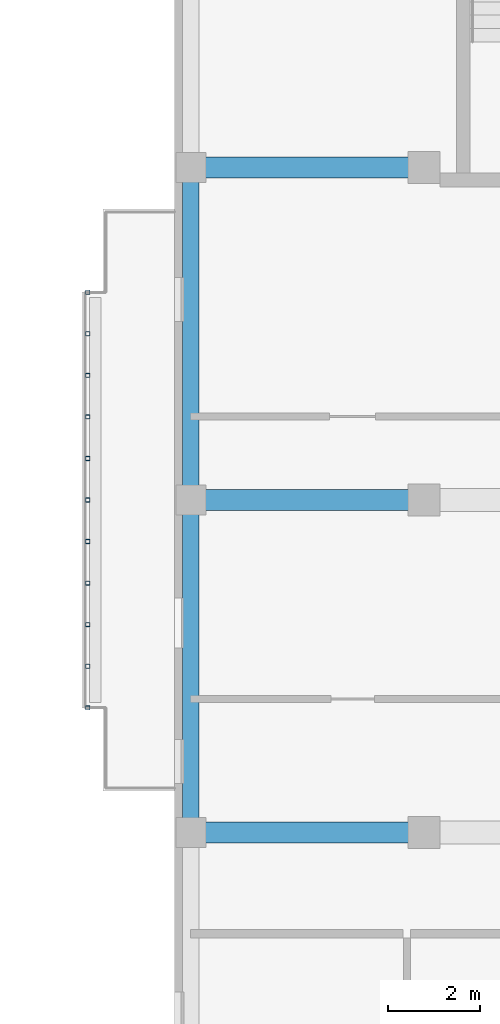
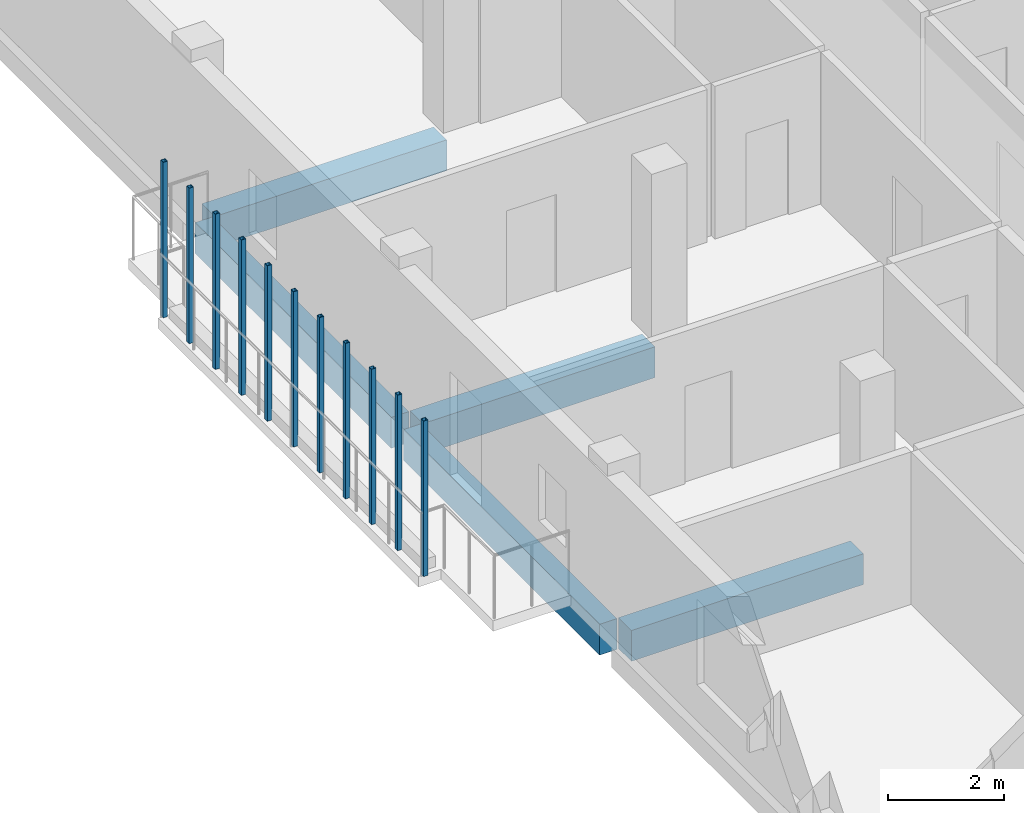
# One storey, part 27 of 73: 11 members, 5 beams.
"""IFC4 building model written with IfcOpenShell, lengths in metres."""

from ifc_helpers import new_model, si_unit, derived_unit, direction, frame, origin, origin_2d, place, context, subcontext, project, spatial, rectangle, hollow_rectangle, extrude, material, material_profile, profile_set, type_object, element, save


model = new_model("IFC4")

# Units and contexts
model_context = context("Model", 3, precision=1e-05, world=origin(), true_north=direction((0.0, 1.0)))
body_context = subcontext(model_context, "Body", "Model", "MODEL_VIEW")
ifc_project = project(units=[si_unit("LENGTHUNIT", "METRE"), si_unit("AREAUNIT", "SQUARE_METRE"), si_unit("VOLUMEUNIT", "CUBIC_METRE"), si_unit("PLANEANGLEUNIT", "RADIAN"), si_unit("MASSUNIT", "GRAM", prefix="KILO"), derived_unit("THERMALTRANSMITTANCEUNIT", [(si_unit("MASSUNIT", "GRAM", prefix="KILO"), 1), (si_unit("TIMEUNIT", "SECOND"), -3), (si_unit("THERMODYNAMICTEMPERATUREUNIT", "KELVIN"), -1)])], contexts=[model_context])

# Site, building, storey
site_placement = place(None, origin())
site = spatial("IfcSite", under=ifc_project, at=site_placement, CompositionType="ELEMENT")
building_placement = place(site_placement, origin())
building = spatial("IfcBuilding", under=site, at=building_placement, Name="Ochrekiln Boulevard Commons", CompositionType="ELEMENT")
storey_placement = place(building_placement, frame((0.0, 0.0, 8.574951171875)))
storey = spatial("IfcBuildingStorey", under=building, at=storey_placement, Name="L02", CompositionType="ELEMENT", Elevation=8.574951171875)

# Beams
ifc_material_1 = material(Name="Concrete C35/45", Category="concrete")
ifc_material_profile_1 = material_profile(ifc_material_1, rectangle(XDim=0.449951171875, YDim=0.64990234375, at=origin_2d()), Name="RC-BM-450x650")
ifc_profile_set_1 = profile_set([ifc_material_profile_1], Name="Concrete C35/45")
beam_type_1 = type_object("IfcBeamType", Name="BM-RC-450x650", PredefinedType="BEAM", material=ifc_profile_set_1)
for number, where, z_axis, x_axis, name in (
    (1, (151.760009765625, 97.199951171875, -0.5849609375), (1.0, 0.0, 0.0), (0.0, 1.0, 0.0), "Block B L02 Beam B-4565 X12"),
    (2, (151.760009765625, 104.39990234375, -0.5849609375), (1.0, 0.0, 0.0), (0.0, 1.0, 0.0), "Block B L02 Beam B-4565 X15"),
    (3, (151.760009765625, 111.60009765625, -0.5849609375), (1.0, 0.0, 0.0), (0.0, 1.0, 0.0), "Block B L02 Beam B-4565 X18"),
):
    element("IfcBeam", number, at=place(storey_placement, frame(where, z_axis=z_axis, x_axis=x_axis)), inside=storey, type_object=beam_type_1, Name=name, PredefinedType="BEAM", context=body_context, shape_type="SweptSolid", body=[
        extrude(rectangle(XDim=0.449951171875, YDim=0.64990234375, at=origin_2d()), origin(), (0.0, 0.0, 1.0), 4.6298828125),
    ])

# Members
ifc_material_2 = material(Name="Steel A500 Grade C", Category="steel")
ifc_material_profile_2 = material_profile(ifc_material_2, hollow_rectangle(XDim=0.090087890625, YDim=0.090087890625, WallThickness=0.00634765625, at=origin_2d()), Name="HSS90X90X6.4")
ifc_profile_set_2 = profile_set([ifc_material_profile_2], Name="Steel A500 Grade C")
member_type = type_object("IfcMemberType", Name="MEM-PST-HSS90", PredefinedType="POST", material=ifc_profile_set_2)
for number, where, z_axis, x_axis, name in (
    (4, (149.320068359375, 99.89990234375, 0.0), (0.0, 0.0, 1.0), (1.0, 0.0, 0.0), "Block B L02 Slim Vertical Balcony Post (188)"),
    (5, (149.320068359375, 100.800048828125, 0.0), (0.0, 0.0, 1.0), (1.0, 0.0, 0.0), "Block B L02 Slim Vertical Balcony Post (189)"),
    (6, (149.320068359375, 101.699951171875, 0.0), (0.0, 0.0, 1.0), (1.0, 0.0, 0.0), "Block B L02 Slim Vertical Balcony Post (190)"),
    (7, (149.320068359375, 102.60009765625, 0.0), (0.0, 0.0, 1.0), (1.0, 0.0, 0.0), "Block B L02 Slim Vertical Balcony Post (191)"),
    (8, (149.320068359375, 103.5, 0.0), (0.0, 0.0, 1.0), (1.0, 0.0, 0.0), "Block B L02 Slim Vertical Balcony Post (192)"),
    (9, (149.320068359375, 104.39990234375, 0.0), (0.0, 0.0, 1.0), (1.0, 0.0, 0.0), "Block B L02 Slim Vertical Balcony Post (193)"),
    (10, (149.320068359375, 105.300048828125, 0.0), (0.0, 0.0, 1.0), (1.0, 0.0, 0.0), "Block B L02 Slim Vertical Balcony Post (194)"),
    (11, (149.320068359375, 106.199951171875, 0.0), (0.0, 0.0, 1.0), (1.0, 0.0, 0.0), "Block B L02 Slim Vertical Balcony Post (195)"),
    (12, (149.320068359375, 107.10009765625, 0.0), (0.0, 0.0, 1.0), (1.0, 0.0, 0.0), "Block B L02 Slim Vertical Balcony Post (196)"),
    (13, (149.320068359375, 108.0, 0.0), (0.0, 0.0, 1.0), (1.0, 0.0, 0.0), "Block B L02 Slim Vertical Balcony Post (197)"),
    (14, (149.320068359375, 108.89990234375, 0.0), (0.0, 0.0, 1.0), (1.0, 0.0, 0.0), "Block B L02 Slim Vertical Balcony Post (198)"),
):
    element("IfcMember", number, at=place(storey_placement, frame(where, z_axis=z_axis, x_axis=x_axis)), inside=storey, type_object=member_type, Name=name, PredefinedType="POST", context=body_context, shape_type="SweptSolid", body=[
        extrude(hollow_rectangle(XDim=0.090087890625, YDim=0.090087890625, WallThickness=0.00634765625, at=origin_2d()), origin(), (0.0, 0.0, 1.0), 3.280029296875),
    ])

# Beams
ifc_material_3 = material(Name="Concrete C40/50", Category="concrete")
ifc_material_profile_3 = material_profile(ifc_material_3, rectangle(XDim=0.35009765625, YDim=0.64990234375, at=origin_2d()), Name="RC-SPN-350x650")
ifc_profile_set_3 = profile_set([ifc_material_profile_3], Name="Concrete C40/50")
beam_type_2 = type_object("IfcBeamType", Name="SPN-RC-350x650", PredefinedType="SPANDREL", material=ifc_profile_set_3)
beam_1_placement = place(storey_placement, frame((151.550048828125, 97.409912109375, -0.5849609375), z_axis=(0.0, 1.0, 0.0), x_axis=(-1.0, 0.0, 0.0)))
element("IfcBeam", 15, at=beam_1_placement, inside=storey, type_object=beam_type_2, Name="Block B L02 Beam SP-3565 Y27", PredefinedType="SPANDREL", context=body_context, shape_type="SweptSolid", body=[
    extrude(rectangle(XDim=0.35009765625, YDim=0.64990234375, at=origin_2d()), origin(), (0.0, 0.0, 1.0), 6.780029296875),
])
beam_2_placement = place(storey_placement, frame((151.550048828125, 104.610107421875, -0.5849609375), z_axis=(0.0, 1.0, 0.0), x_axis=(-1.0, 0.0, 0.0)))
element("IfcBeam", 16, at=beam_2_placement, inside=storey, type_object=beam_type_2, Name="Block B L02 Beam SP-3565 Y28", PredefinedType="SPANDREL", context=body_context, shape_type="SweptSolid", body=[
    extrude(rectangle(XDim=0.35009765625, YDim=0.64990234375, at=origin_2d()), origin(), (0.0, 0.0, 1.0), 6.77978515625),
])

save(model, "model.ifc")
